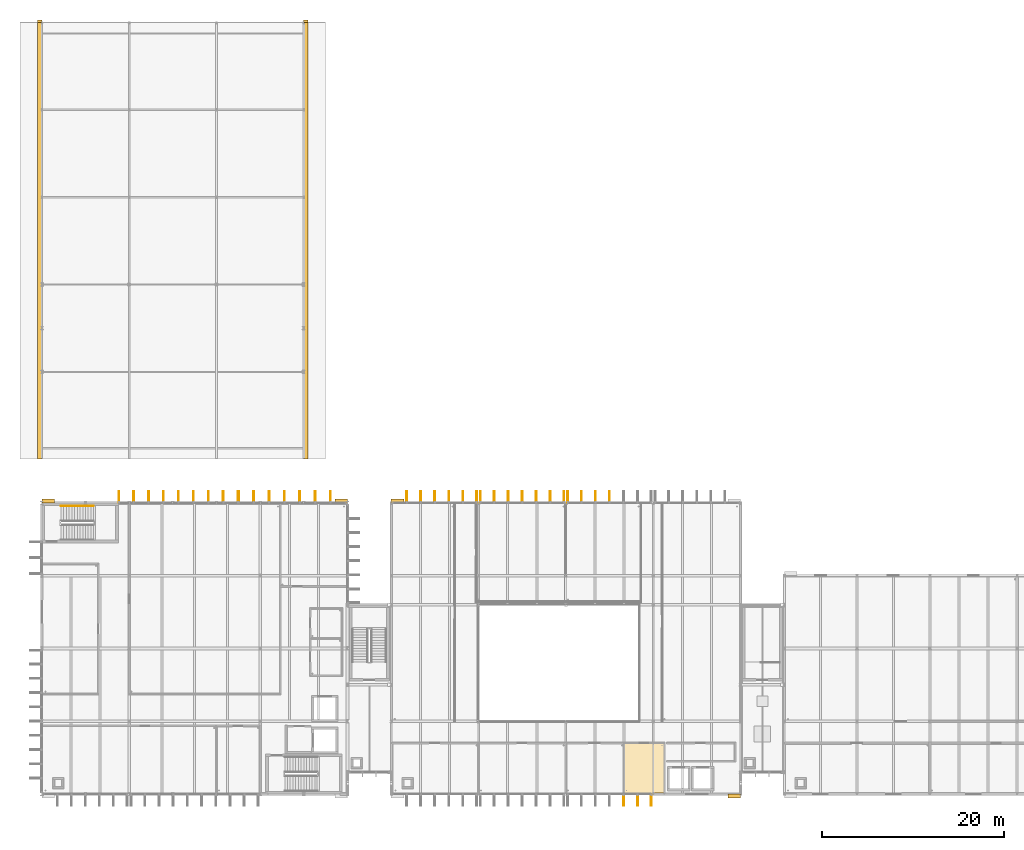
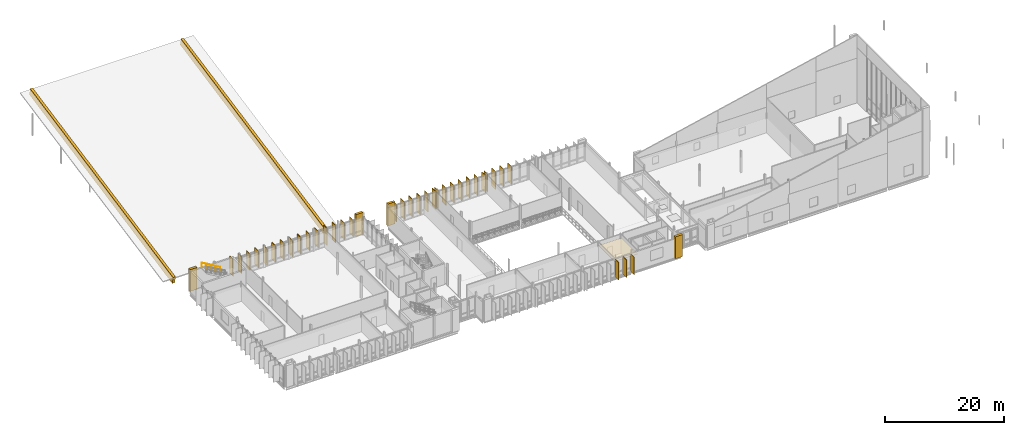
# One storey, part 57 of 59: 43 coverings, 1 railing.
"""IFC4 building model written with IfcOpenShell, lengths in metres."""

from ifc_helpers import new_model, si_unit, direction, frame, origin, origin_2d, place, context, subcontext, project, spatial, polyline, rectangle, circle, outline, extrude, material, layer, layer_set, type_object, element, save


model = new_model("IFC4")

# Units and contexts
model_context = context("Model", 3, precision=1e-05, world=origin(), true_north=direction((0.0, 1.0)))
body_context = subcontext(model_context, "Body", "Model", "MODEL_VIEW")
ifc_project = project(units=[si_unit("LENGTHUNIT", "METRE"), si_unit("AREAUNIT", "SQUARE_METRE"), si_unit("VOLUMEUNIT", "CUBIC_METRE"), si_unit("PLANEANGLEUNIT", "RADIAN"), si_unit("MASSUNIT", "GRAM", prefix="KILO")], contexts=[model_context])

# Site, building, storey
site_placement = place(None, origin())
site = spatial("IfcSite", under=ifc_project, at=site_placement, CompositionType="ELEMENT")
building_placement = place(site_placement, origin())
building = spatial("IfcBuilding", under=site, at=building_placement, Name="Dunescarp Central Library", CompositionType="ELEMENT")
storey_placement = place(building_placement, frame((0.0, 0.0, 18.60009765625)))
storey = spatial("IfcBuildingStorey", under=building, at=storey_placement, Name="L04", CompositionType="ELEMENT", Elevation=18.60009765625)

# Coverings
ifc_material_1 = material(Name="Mineral-fibre acoustic ceiling tile")
ifc_layer_1 = layer(ifc_material_1, 0.0400390625)
ifc_layer_set_1 = layer_set([ifc_layer_1], Name="Mineral-fibre acoustic ceiling tile")
covering_type_1 = type_object("IfcCoveringType", Name="ARC-COV-CEIL40", PredefinedType="CEILING", material=ifc_layer_set_1)
covering_1_placement = place(storey_placement, frame((0.0, 0.0, 3.0498046875)))
element("IfcCovering", 1, at=covering_1_placement, inside=storey, type_object=covering_type_1, Name="L04 ceiling Wing Washrooms & WC", PredefinedType="CEILING", context=body_context, shape_type="SweptSolid", body=[
    extrude(outline(polyline([(63.97998046875, 4.919921875), (68.419921875, 4.919921875), (68.419921875, 10.419921875), (63.97998046875, 10.419921875), (63.97998046875, 4.919921875)])), origin(), (0.0, 0.0, 1.0), 0.0400390625),
])
ifc_material_2 = material(Name="Glass-fibre reinforced concrete GRC", Category="concrete")
ifc_layer_2 = layer(ifc_material_2, 0.090087890625)
ifc_layer_set_2 = layer_set([ifc_layer_2], Name="Glass-fibre reinforced concrete GRC")
covering_type_2 = type_object("IfcCoveringType", Name="ARC-COV-FIN1250", PredefinedType="CLADDING", material=ifc_layer_set_2)
covering_2_placement = place(storey_placement, frame((21.639892578125, 37.4619140625, 0.1669921875), z_axis=(0.0, 0.0, 1.0), x_axis=(0.0, 1.0, 0.0)))
element("IfcCovering", 2, at=covering_2_placement, inside=storey, type_object=covering_type_2, Name="L04 parametric vertical facade fin FIN-L04-0179", PredefinedType="CLADDING", context=body_context, shape_type="SweptSolid", body=[
    extrude(rectangle(XDim=1.25, YDim=0.090087890625, at=origin_2d()), origin(), (0.0, 0.0, 1.0), 3.41796875),
])
covering_3_placement = place(storey_placement, frame((23.2890625, 37.4619140625, 0.18017578125), z_axis=(0.0, 0.0, 1.0), x_axis=(0.0, 1.0, 0.0)))
element("IfcCovering", 3, at=covering_3_placement, inside=storey, type_object=covering_type_2, Name="L04 parametric vertical facade fin FIN-L04-0180", PredefinedType="CLADDING", context=body_context, shape_type="SweptSolid", body=[
    extrude(rectangle(XDim=1.25, YDim=0.090087890625, at=origin_2d()), origin(), (0.0, 0.0, 1.0), 3.405029296875),
])
covering_4_placement = place(storey_placement, frame((24.97900390625, 37.4619140625, 0.16357421875), z_axis=(0.0, 0.0, 1.0), x_axis=(0.0, 1.0, 0.0)))
element("IfcCovering", 4, at=covering_4_placement, inside=storey, type_object=covering_type_2, Name="L04 parametric vertical facade fin FIN-L04-0181", PredefinedType="CLADDING", context=body_context, shape_type="SweptSolid", body=[
    extrude(rectangle(XDim=1.25, YDim=0.090087890625, at=origin_2d()), origin(), (0.0, 0.0, 1.0), 3.4208984375),
])
covering_5_placement = place(storey_placement, frame((26.66796875, 37.4619140625, 0.123046875), z_axis=(0.0, 0.0, 1.0), x_axis=(0.0, 1.0, 0.0)))
element("IfcCovering", 5, at=covering_5_placement, inside=storey, type_object=covering_type_2, Name="L04 parametric vertical facade fin FIN-L04-0182", PredefinedType="CLADDING", context=body_context, shape_type="SweptSolid", body=[
    extrude(rectangle(XDim=1.25, YDim=0.090087890625, at=origin_2d()), origin(), (0.0, 0.0, 1.0), 3.4619140625),
])
covering_6_placement = place(storey_placement, frame((28.35693359375, 37.4619140625, 0.080078125), z_axis=(0.0, 0.0, 1.0), x_axis=(0.0, 1.0, 0.0)))
element("IfcCovering", 6, at=covering_6_placement, inside=storey, type_object=covering_type_2, Name="L04 parametric vertical facade fin FIN-L04-0183", PredefinedType="CLADDING", context=body_context, shape_type="SweptSolid", body=[
    extrude(rectangle(XDim=1.25, YDim=0.090087890625, at=origin_2d()), origin(), (0.0, 0.0, 1.0), 3.493896484375),
])
covering_7_placement = place(storey_placement, frame((30.0458984375, 37.4619140625, 0.080078125), z_axis=(0.0, 0.0, 1.0), x_axis=(0.0, 1.0, 0.0)))
element("IfcCovering", 7, at=covering_7_placement, inside=storey, type_object=covering_type_2, Name="L04 parametric vertical facade fin FIN-L04-0184", PredefinedType="CLADDING", context=body_context, shape_type="SweptSolid", body=[
    extrude(rectangle(XDim=1.25, YDim=0.090087890625, at=origin_2d()), origin(), (0.0, 0.0, 1.0), 3.444091796875),
])
covering_8_placement = place(storey_placement, frame((31.736083984375, 37.4619140625, 0.08056640625), z_axis=(0.0, 0.0, 1.0), x_axis=(0.0, 1.0, 0.0)))
element("IfcCovering", 8, at=covering_8_placement, inside=storey, type_object=covering_type_2, Name="L04 parametric vertical facade fin FIN-L04-0185", PredefinedType="CLADDING", context=body_context, shape_type="SweptSolid", body=[
    extrude(rectangle(XDim=1.25, YDim=0.090087890625, at=origin_2d()), origin(), (0.0, 0.0, 1.0), 3.410888671875),
])
covering_9_placement = place(storey_placement, frame((8.489990234375, 37.4619140625, 0.1669921875), z_axis=(0.0, 0.0, 1.0), x_axis=(0.0, 1.0, 0.0)))
element("IfcCovering", 9, at=covering_9_placement, inside=storey, type_object=covering_type_2, Name="L04 parametric vertical facade fin FIN-L04-0186", PredefinedType="CLADDING", context=body_context, shape_type="SweptSolid", body=[
    extrude(rectangle(XDim=1.25, YDim=0.090087890625, at=origin_2d()), origin(), (0.0, 0.0, 1.0), 3.41796875),
])
covering_10_placement = place(storey_placement, frame((10.093994140625, 37.4619140625, 0.18017578125), z_axis=(0.0, 0.0, 1.0), x_axis=(0.0, 1.0, 0.0)))
element("IfcCovering", 10, at=covering_10_placement, inside=storey, type_object=covering_type_2, Name="L04 parametric vertical facade fin FIN-L04-0187", PredefinedType="CLADDING", context=body_context, shape_type="SweptSolid", body=[
    extrude(rectangle(XDim=1.25, YDim=0.090087890625, at=origin_2d()), origin(), (0.0, 0.0, 1.0), 3.405029296875),
])
covering_11_placement = place(storey_placement, frame((11.738037109375, 37.4619140625, 0.16357421875), z_axis=(0.0, 0.0, 1.0), x_axis=(0.0, 1.0, 0.0)))
element("IfcCovering", 11, at=covering_11_placement, inside=storey, type_object=covering_type_2, Name="L04 parametric vertical facade fin FIN-L04-0188", PredefinedType="CLADDING", context=body_context, shape_type="SweptSolid", body=[
    extrude(rectangle(XDim=1.25, YDim=0.090087890625, at=origin_2d()), origin(), (0.0, 0.0, 1.0), 3.4208984375),
])
covering_12_placement = place(storey_placement, frame((13.381103515625, 37.4619140625, 0.123046875), z_axis=(0.0, 0.0, 1.0), x_axis=(0.0, 1.0, 0.0)))
element("IfcCovering", 12, at=covering_12_placement, inside=storey, type_object=covering_type_2, Name="L04 parametric vertical facade fin FIN-L04-0189", PredefinedType="CLADDING", context=body_context, shape_type="SweptSolid", body=[
    extrude(rectangle(XDim=1.25, YDim=0.090087890625, at=origin_2d()), origin(), (0.0, 0.0, 1.0), 3.4619140625),
])
covering_13_placement = place(storey_placement, frame((15.02490234375, 37.4619140625, 0.080078125), z_axis=(0.0, 0.0, 1.0), x_axis=(0.0, 1.0, 0.0)))
element("IfcCovering", 13, at=covering_13_placement, inside=storey, type_object=covering_type_2, Name="L04 parametric vertical facade fin FIN-L04-0190", PredefinedType="CLADDING", context=body_context, shape_type="SweptSolid", body=[
    extrude(rectangle(XDim=1.25, YDim=0.090087890625, at=origin_2d()), origin(), (0.0, 0.0, 1.0), 3.493896484375),
])
covering_14_placement = place(storey_placement, frame((16.6689453125, 37.4619140625, 0.080078125), z_axis=(0.0, 0.0, 1.0), x_axis=(0.0, 1.0, 0.0)))
element("IfcCovering", 14, at=covering_14_placement, inside=storey, type_object=covering_type_2, Name="L04 parametric vertical facade fin FIN-L04-0191", PredefinedType="CLADDING", context=body_context, shape_type="SweptSolid", body=[
    extrude(rectangle(XDim=1.25, YDim=0.090087890625, at=origin_2d()), origin(), (0.0, 0.0, 1.0), 3.444091796875),
])
covering_15_placement = place(storey_placement, frame((18.31201171875, 37.4619140625, 0.08056640625), z_axis=(0.0, 0.0, 1.0), x_axis=(0.0, 1.0, 0.0)))
element("IfcCovering", 15, at=covering_15_placement, inside=storey, type_object=covering_type_2, Name="L04 parametric vertical facade fin FIN-L04-0192", PredefinedType="CLADDING", context=body_context, shape_type="SweptSolid", body=[
    extrude(rectangle(XDim=1.25, YDim=0.090087890625, at=origin_2d()), origin(), (0.0, 0.0, 1.0), 3.410888671875),
])
covering_16_placement = place(storey_placement, frame((19.9560546875, 37.4619140625, 0.07958984375), z_axis=(0.0, 0.0, 1.0), x_axis=(0.0, 1.0, 0.0)))
element("IfcCovering", 16, at=covering_16_placement, inside=storey, type_object=covering_type_2, Name="L04 parametric vertical facade fin FIN-L04-0193", PredefinedType="CLADDING", context=body_context, shape_type="SweptSolid", body=[
    extrude(rectangle(XDim=1.25, YDim=0.090087890625, at=origin_2d()), origin(), (0.0, 0.0, 1.0), 3.406982421875),
])
covering_17_placement = place(storey_placement, frame((21.56005859375, 37.4619140625, 0.07958984375), z_axis=(0.0, 0.0, 1.0), x_axis=(0.0, 1.0, 0.0)))
element("IfcCovering", 17, at=covering_17_placement, inside=storey, type_object=covering_type_2, Name="L04 parametric vertical facade fin FIN-L04-0194", PredefinedType="CLADDING", context=body_context, shape_type="SweptSolid", body=[
    extrude(rectangle(XDim=1.25, YDim=0.090087890625, at=origin_2d()), origin(), (0.0, 0.0, 1.0), 3.430908203125),
])
covering_18_placement = place(storey_placement, frame((66.985107421875, 4.137939453125, 0.1669921875), z_axis=(0.0, 0.0, 1.0), x_axis=(0.0, -1.0, 0.0)))
element("IfcCovering", 18, at=covering_18_placement, inside=storey, type_object=covering_type_2, Name="L04 parametric vertical facade fin FIN-L04-0477", PredefinedType="CLADDING", context=body_context, shape_type="SweptSolid", body=[
    extrude(rectangle(XDim=1.25, YDim=0.090087890625, at=origin_2d()), origin(), (0.0, 0.0, 1.0), 3.60791015625),
])
covering_19_placement = place(storey_placement, frame((65.48291015625, 4.137939453125, 0.18017578125), z_axis=(0.0, 0.0, 1.0), x_axis=(0.0, -1.0, 0.0)))
element("IfcCovering", 19, at=covering_19_placement, inside=storey, type_object=covering_type_2, Name="L04 parametric vertical facade fin FIN-L04-0478", PredefinedType="CLADDING", context=body_context, shape_type="SweptSolid", body=[
    extrude(rectangle(XDim=1.25, YDim=0.090087890625, at=origin_2d()), origin(), (0.0, 0.0, 1.0), 3.594970703125),
])
covering_20_placement = place(storey_placement, frame((63.94189453125, 4.137939453125, 0.16357421875), z_axis=(0.0, 0.0, 1.0), x_axis=(0.0, -1.0, 0.0)))
element("IfcCovering", 20, at=covering_20_placement, inside=storey, type_object=covering_type_2, Name="L04 parametric vertical facade fin FIN-L04-0479", PredefinedType="CLADDING", context=body_context, shape_type="SweptSolid", body=[
    extrude(rectangle(XDim=1.25, YDim=0.090087890625, at=origin_2d()), origin(), (0.0, 0.0, 1.0), 3.611083984375),
])
covering_21_placement = place(storey_placement, frame((40.116943359375, 37.4619140625, 0.1806640625), z_axis=(0.0, 0.0, 1.0), x_axis=(0.0, 1.0, 0.0)))
element("IfcCovering", 21, at=covering_21_placement, inside=storey, type_object=covering_type_2, Name="L04 parametric vertical facade fin FIN-L04-0484", PredefinedType="CLADDING", context=body_context, shape_type="SweptSolid", body=[
    extrude(rectangle(XDim=1.25, YDim=0.090087890625, at=origin_2d()), origin(), (0.0, 0.0, 1.0), 3.618896484375),
])
covering_22_placement = place(storey_placement, frame((41.657958984375, 37.4619140625, 0.16357421875), z_axis=(0.0, 0.0, 1.0), x_axis=(0.0, 1.0, 0.0)))
element("IfcCovering", 22, at=covering_22_placement, inside=storey, type_object=covering_type_2, Name="L04 parametric vertical facade fin FIN-L04-0485", PredefinedType="CLADDING", context=body_context, shape_type="SweptSolid", body=[
    extrude(rectangle(XDim=1.25, YDim=0.090087890625, at=origin_2d()), origin(), (0.0, 0.0, 1.0), 3.635009765625),
])
covering_23_placement = place(storey_placement, frame((43.199951171875, 37.4619140625, 0.123046875), z_axis=(0.0, 0.0, 1.0), x_axis=(0.0, 1.0, 0.0)))
element("IfcCovering", 23, at=covering_23_placement, inside=storey, type_object=covering_type_2, Name="L04 parametric vertical facade fin FIN-L04-0486", PredefinedType="CLADDING", context=body_context, shape_type="SweptSolid", body=[
    extrude(rectangle(XDim=1.25, YDim=0.090087890625, at=origin_2d()), origin(), (0.0, 0.0, 1.0), 3.676025390625),
])
covering_24_placement = place(storey_placement, frame((44.741943359375, 37.4619140625, 0.079833984375), z_axis=(0.0, 0.0, 1.0), x_axis=(0.0, 1.0, 0.0)))
element("IfcCovering", 24, at=covering_24_placement, inside=storey, type_object=covering_type_2, Name="L04 parametric vertical facade fin FIN-L04-0487", PredefinedType="CLADDING", context=body_context, shape_type="SweptSolid", body=[
    extrude(rectangle(XDim=1.25, YDim=0.090087890625, at=origin_2d()), origin(), (0.0, 0.0, 1.0), 3.7080078125),
])
covering_25_placement = place(storey_placement, frame((46.282958984375, 37.4619140625, 0.080078125), z_axis=(0.0, 0.0, 1.0), x_axis=(0.0, 1.0, 0.0)))
element("IfcCovering", 25, at=covering_25_placement, inside=storey, type_object=covering_type_2, Name="L04 parametric vertical facade fin FIN-L04-0488", PredefinedType="CLADDING", context=body_context, shape_type="SweptSolid", body=[
    extrude(rectangle(XDim=1.25, YDim=0.090087890625, at=origin_2d()), origin(), (0.0, 0.0, 1.0), 3.657958984375),
])
covering_26_placement = place(storey_placement, frame((47.784912109375, 37.4619140625, 0.079345703125), z_axis=(0.0, 0.0, 1.0), x_axis=(0.0, 1.0, 0.0)))
element("IfcCovering", 26, at=covering_26_placement, inside=storey, type_object=covering_type_2, Name="L04 parametric vertical facade fin FIN-L04-0489", PredefinedType="CLADDING", context=body_context, shape_type="SweptSolid", body=[
    extrude(rectangle(XDim=1.25, YDim=0.090087890625, at=origin_2d()), origin(), (0.0, 0.0, 1.0), 3.625),
])
covering_27_placement = place(storey_placement, frame((48.215087890625, 37.4619140625, 0.1669921875), z_axis=(0.0, 0.0, 1.0), x_axis=(0.0, 1.0, 0.0)))
element("IfcCovering", 27, at=covering_27_placement, inside=storey, type_object=covering_type_2, Name="L04 parametric vertical facade fin FIN-L04-0490", PredefinedType="CLADDING", context=body_context, shape_type="SweptSolid", body=[
    extrude(rectangle(XDim=1.25, YDim=0.090087890625, at=origin_2d()), origin(), (0.0, 0.0, 1.0), 3.632080078125),
])
covering_28_placement = place(storey_placement, frame((49.717041015625, 37.4619140625, 0.1806640625), z_axis=(0.0, 0.0, 1.0), x_axis=(0.0, 1.0, 0.0)))
element("IfcCovering", 28, at=covering_28_placement, inside=storey, type_object=covering_type_2, Name="L04 parametric vertical facade fin FIN-L04-0491", PredefinedType="CLADDING", context=body_context, shape_type="SweptSolid", body=[
    extrude(rectangle(XDim=1.25, YDim=0.090087890625, at=origin_2d()), origin(), (0.0, 0.0, 1.0), 3.618896484375),
])
covering_29_placement = place(storey_placement, frame((51.258056640625, 37.4619140625, 0.16357421875), z_axis=(0.0, 0.0, 1.0), x_axis=(0.0, 1.0, 0.0)))
element("IfcCovering", 29, at=covering_29_placement, inside=storey, type_object=covering_type_2, Name="L04 parametric vertical facade fin FIN-L04-0492", PredefinedType="CLADDING", context=body_context, shape_type="SweptSolid", body=[
    extrude(rectangle(XDim=1.25, YDim=0.090087890625, at=origin_2d()), origin(), (0.0, 0.0, 1.0), 3.635009765625),
])
covering_30_placement = place(storey_placement, frame((52.800048828125, 37.4619140625, 0.123046875), z_axis=(0.0, 0.0, 1.0), x_axis=(0.0, 1.0, 0.0)))
element("IfcCovering", 30, at=covering_30_placement, inside=storey, type_object=covering_type_2, Name="L04 parametric vertical facade fin FIN-L04-0493", PredefinedType="CLADDING", context=body_context, shape_type="SweptSolid", body=[
    extrude(rectangle(XDim=1.25, YDim=0.090087890625, at=origin_2d()), origin(), (0.0, 0.0, 1.0), 3.676025390625),
])
covering_31_placement = place(storey_placement, frame((54.342041015625, 37.4619140625, 0.079833984375), z_axis=(0.0, 0.0, 1.0), x_axis=(0.0, 1.0, 0.0)))
element("IfcCovering", 31, at=covering_31_placement, inside=storey, type_object=covering_type_2, Name="L04 parametric vertical facade fin FIN-L04-0494", PredefinedType="CLADDING", context=body_context, shape_type="SweptSolid", body=[
    extrude(rectangle(XDim=1.25, YDim=0.090087890625, at=origin_2d()), origin(), (0.0, 0.0, 1.0), 3.7080078125),
])
covering_32_placement = place(storey_placement, frame((55.883056640625, 37.4619140625, 0.080078125), z_axis=(0.0, 0.0, 1.0), x_axis=(0.0, 1.0, 0.0)))
element("IfcCovering", 32, at=covering_32_placement, inside=storey, type_object=covering_type_2, Name="L04 parametric vertical facade fin FIN-L04-0495", PredefinedType="CLADDING", context=body_context, shape_type="SweptSolid", body=[
    extrude(rectangle(XDim=1.25, YDim=0.090087890625, at=origin_2d()), origin(), (0.0, 0.0, 1.0), 3.657958984375),
])
covering_33_placement = place(storey_placement, frame((57.385009765625, 37.4619140625, 0.079345703125), z_axis=(0.0, 0.0, 1.0), x_axis=(0.0, 1.0, 0.0)))
element("IfcCovering", 33, at=covering_33_placement, inside=storey, type_object=covering_type_2, Name="L04 parametric vertical facade fin FIN-L04-0496", PredefinedType="CLADDING", context=body_context, shape_type="SweptSolid", body=[
    extrude(rectangle(XDim=1.25, YDim=0.090087890625, at=origin_2d()), origin(), (0.0, 0.0, 1.0), 3.625),
])
covering_34_placement = place(storey_placement, frame((57.81494140625, 37.4619140625, 0.1669921875), z_axis=(0.0, 0.0, 1.0), x_axis=(0.0, 1.0, 0.0)))
element("IfcCovering", 34, at=covering_34_placement, inside=storey, type_object=covering_type_2, Name="L04 parametric vertical facade fin FIN-L04-0497", PredefinedType="CLADDING", context=body_context, shape_type="SweptSolid", body=[
    extrude(rectangle(XDim=1.25, YDim=0.090087890625, at=origin_2d()), origin(), (0.0, 0.0, 1.0), 3.632080078125),
])
covering_35_placement = place(storey_placement, frame((59.31689453125, 37.4619140625, 0.1806640625), z_axis=(0.0, 0.0, 1.0), x_axis=(0.0, 1.0, 0.0)))
element("IfcCovering", 35, at=covering_35_placement, inside=storey, type_object=covering_type_2, Name="L04 parametric vertical facade fin FIN-L04-0498", PredefinedType="CLADDING", context=body_context, shape_type="SweptSolid", body=[
    extrude(rectangle(XDim=1.25, YDim=0.090087890625, at=origin_2d()), origin(), (0.0, 0.0, 1.0), 3.618896484375),
])
covering_36_placement = place(storey_placement, frame((60.85791015625, 37.4619140625, 0.16357421875), z_axis=(0.0, 0.0, 1.0), x_axis=(0.0, 1.0, 0.0)))
element("IfcCovering", 36, at=covering_36_placement, inside=storey, type_object=covering_type_2, Name="L04 parametric vertical facade fin FIN-L04-0499", PredefinedType="CLADDING", context=body_context, shape_type="SweptSolid", body=[
    extrude(rectangle(XDim=1.25, YDim=0.090087890625, at=origin_2d()), origin(), (0.0, 0.0, 1.0), 3.635009765625),
])
covering_37_placement = place(storey_placement, frame((62.39990234375, 37.4619140625, 0.123046875), z_axis=(0.0, 0.0, 1.0), x_axis=(0.0, 1.0, 0.0)))
element("IfcCovering", 37, at=covering_37_placement, inside=storey, type_object=covering_type_2, Name="L04 parametric vertical facade fin FIN-L04-0500", PredefinedType="CLADDING", context=body_context, shape_type="SweptSolid", body=[
    extrude(rectangle(XDim=1.25, YDim=0.090087890625, at=origin_2d()), origin(), (0.0, 0.0, 1.0), 3.676025390625),
])
ifc_layer_3 = layer(ifc_material_2, 0.449951171875)
ifc_layer_set_3 = layer_set([ifc_layer_3], Name="Glass-fibre reinforced concrete GRC")
covering_type_3 = type_object("IfcCoveringType", Name="ARC-COV-PORTAL", PredefinedType="CLADDING", material=ifc_layer_set_3)
for number, where, z_axis, x_axis, name in (
    (38, (39.10009765625, 37.02001953125, 0.0), (0.0, 0.0, 1.0), (1.0, 0.0, 0.0), "V2 sculpted GRC portal pier PRT-BAND-V2-018"),
    (39, (76.10009765625, 4.580078125, 0.0), (0.0, 0.0, 1.0), (1.0, 0.0, 0.0), "V2 sculpted GRC portal pier PRT-BAND-V2-019"),
):
    element("IfcCovering", number, at=place(storey_placement, frame(where, z_axis=z_axis, x_axis=x_axis)), inside=storey, type_object=covering_type_3, Name=name, PredefinedType="CLADDING", context=body_context, shape_type="SweptSolid", body=[
        extrude(rectangle(XDim=1.39990234375, YDim=0.449951171875, at=origin_2d()), origin(), (0.0, 0.0, 1.0), 4.5),
    ])
for number, where, z_axis, x_axis, name in (
    (40, (-0.449951171875, 41.60009765625, 0.139892578125), (0.0, -0.196118053403, 0.980580292036), (1.0, 0.0, 0.0), "V4 sculpted GRC raking portal band PRT-BAND-V4-079"),
    (41, (28.780029296875, 41.60009765625, 0.139892578125), (0.0, -0.196118053403, 0.980580292036), (1.0, 0.0, 0.0), "V4 sculpted GRC raking portal band PRT-BAND-V4-080"),
):
    element("IfcCovering", number, at=place(storey_placement, frame(where, z_axis=z_axis, x_axis=x_axis)), inside=storey, type_object=covering_type_3, Name=name, PredefinedType="CLADDING", context=body_context, shape_type="SweptSolid", body=[
        extrude(outline(polyline([(0.0, 0.0), (0.469970703125, 0.0), (0.469970703125, 48.95060648255072), (0.0, 48.95060648255072), (0.0, 0.0)])), origin(), (0.0, 0.0, -1.0), 1.39990234375),
    ])
for number, where, z_axis, x_axis, name in (
    (42, (0.699951171875, 37.02001953125, 0.0), (0.0, 0.0, 1.0), (1.0, 0.0, 0.0), "V1 sculpted GRC portal pier PRT-BAND-V1-098"),
    (43, (32.89990234375, 37.02001953125, 0.0), (0.0, 0.0, 1.0), (1.0, 0.0, 0.0), "V1 sculpted GRC portal pier PRT-BAND-V1-100"),
):
    element("IfcCovering", number, at=place(storey_placement, frame(where, z_axis=z_axis, x_axis=x_axis)), inside=storey, type_object=covering_type_3, Name=name, PredefinedType="CLADDING", context=body_context, shape_type="SweptSolid", body=[
        extrude(rectangle(XDim=1.39990234375, YDim=0.449951171875, at=origin_2d()), origin(), (0.0, 0.0, 1.0), 4.5),
    ])

# Railing
ifc_material_3 = material(Name="Stainless steel Grade 316L", Category="steel")
railing_type = type_object("IfcRailingType", Name="ARC-RL-HAND", PredefinedType="HANDRAIL", material=ifc_material_3)
railing_placement = place(storey_placement, frame((5.699951171875, 36.449951171875, 2.423095703125)))
element("IfcRailing", 44, at=railing_placement, inside=storey, type_object=railing_type, Name="L04 ST-6 stair handrail 2", PredefinedType="HANDRAIL", context=body_context, shape_type="SweptSolid", body=[
    extrude(circle(Radius=0.02392578125, at=origin_2d()), frame((0.0, 0.0, 0.8857421875), z_axis=(-0.866178740119, 0.0, 0.499734319579), x_axis=(0.0, -1.0, 0.0)), (0.0, 0.0, 1.0), 4.156005859375),
    extrude(circle(Radius=0.02099609375, at=origin_2d()), origin(), (0.0, 0.0, 1.0), 0.86181640625),
    extrude(circle(Radius=0.02099609375, at=origin_2d()), frame((-0.89990234375, 0.0, 0.519287109375)), (0.0, 0.0, 1.0), 0.86181640625),
    extrude(circle(Radius=0.02099609375, at=origin_2d()), frame((-1.7998046875, 0.0, 1.03857421875)), (0.0, 0.0, 1.0), 0.86181640625),
    extrude(circle(Radius=0.02099609375, at=origin_2d()), frame((-2.699951171875, 0.0, 1.5576171875)), (0.0, 0.0, 1.0), 0.86181640625),
    extrude(circle(Radius=0.02099609375, at=origin_2d()), frame((-3.599853515625, 0.0, 2.076904296875)), (0.0, 0.0, 1.0), 0.86181640625),
])

save(model, "model.ifc")
